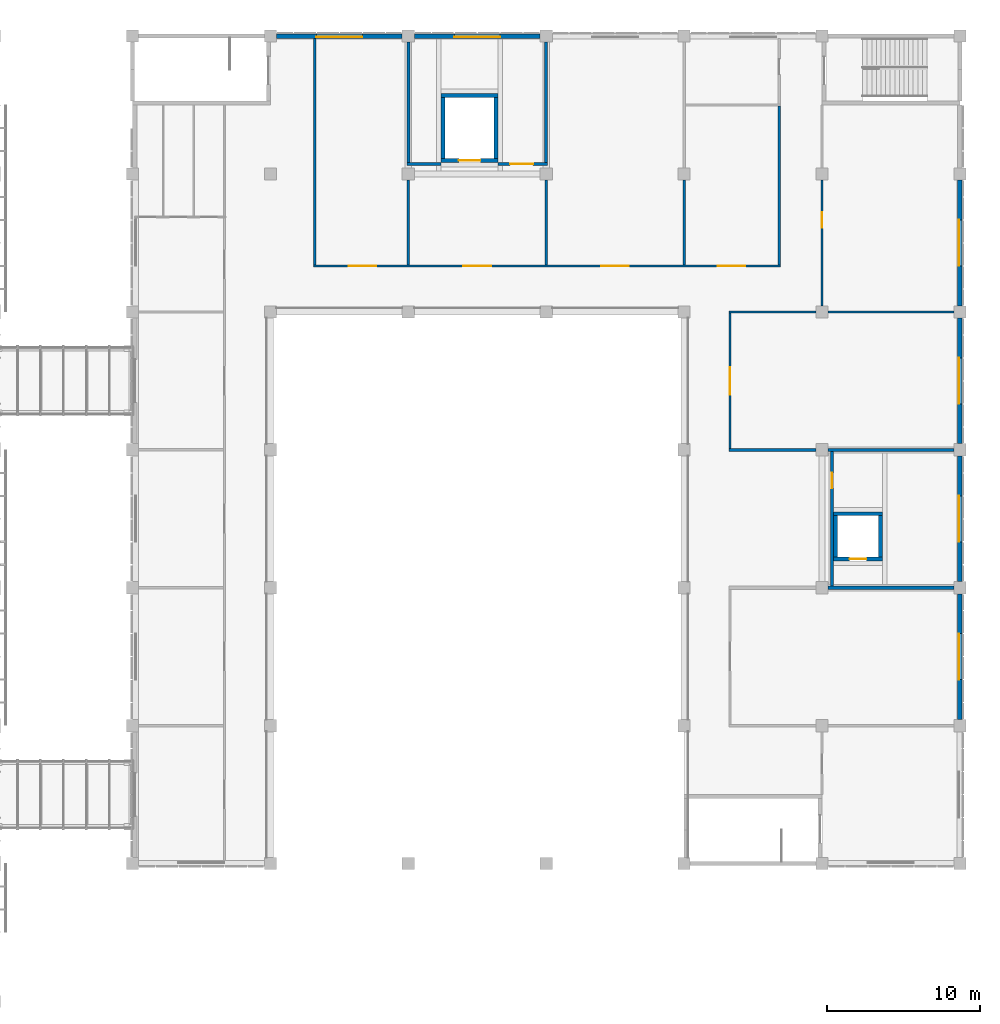
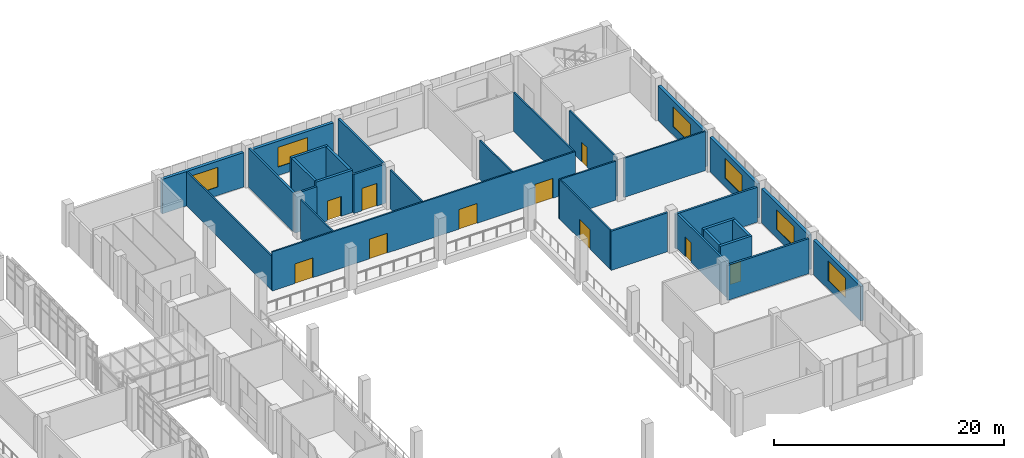
# One storey, part 67 of 88: 32 walls, 10 doors, 6 windows, 16 openings.
"""IFC4 building model written with IfcOpenShell, lengths in metres."""

from ifc_helpers import new_model, si_unit, direction, frame, frame_2d, origin, place, context, subcontext, project, spatial, rectangle, extrude, material, layer, layer_set, type_object, element, fill, save


model = new_model("IFC4")

# Units and contexts
model_context = context("Model", 3, precision=1e-05, world=origin(), true_north=direction((0.0, 1.0)))
body_context = subcontext(model_context, "Body", "Model", "MODEL_VIEW")
ifc_project = project(units=[si_unit("LENGTHUNIT", "METRE"), si_unit("AREAUNIT", "SQUARE_METRE"), si_unit("VOLUMEUNIT", "CUBIC_METRE"), si_unit("PLANEANGLEUNIT", "RADIAN"), si_unit("MASSUNIT", "GRAM", prefix="KILO")], contexts=[model_context])

# Site, building, storey
site_placement = place(None, origin())
site = spatial("IfcSite", under=ifc_project, at=site_placement, CompositionType="ELEMENT")
building_placement = place(site_placement, origin())
building = spatial("IfcBuilding", under=site, at=building_placement, Name="Guidao Yard Department Store", CompositionType="ELEMENT")
storey_placement = place(building_placement, frame((0.0, 0.0, 6.0)))
storey = spatial("IfcBuildingStorey", under=building, at=storey_placement, Name="L01", CompositionType="ELEMENT", Elevation=6.0)

# Wall
ifc_material_1 = material(Name="Concrete block MU10", Category="concrete")
ifc_layer_1 = layer(ifc_material_1, 0.199951171875)
ifc_layer_set_1 = layer_set([ifc_layer_1], Name="Fire Wall F3 200 mm blockwork EI 120")
wall_type_1 = type_object("IfcWallType", Name="Fire Wall F3 200 mm blockwork EI 120", PredefinedType="PARTITIONING", material=ifc_layer_set_1)
wall_1_placement = place(storey_placement, frame((162.39990234375, 72.0, 0.0), z_axis=(0.0, 0.0, 1.0), x_axis=(1.0, 0.0, 0.0)))
element("IfcWall", 1, at=wall_1_placement, inside=storey, type_object=wall_type_1, Name="Wall W-L01-3008", PredefinedType="PARTITIONING", context=body_context, shape_type="SweptSolid", body=[
    extrude(rectangle(XDim=8.2001953125, YDim=0.199951171875, at=frame_2d((4.10009765625, 0.0))), origin(), (0.0, 0.0, 1.0), 3.699951171875),
])

# Wall, opening, door
wall_2_placement = place(storey_placement, frame((162.64990234375, 72.10009765625, 0.0), z_axis=(0.0, 0.0, 1.0), x_axis=(0.0, 1.0, 0.0)))
wall_2 = element("IfcWall", 2, at=wall_2_placement, inside=storey, type_object=wall_type_1, Name="Wall W-L01-3010", PredefinedType="PARTITIONING", context=body_context, shape_type="SweptSolid", body=[
    extrude(rectangle(XDim=8.7998046875, YDim=0.199951171875, at=frame_2d((4.39990234375, 0.0))), origin(), (0.0, 0.0, 1.0), 3.699951171875),
])
opening_1_placement = place(wall_2_placement, frame((7.39990234375, 0.0, 0.0), z_axis=(0.0, 0.0, 1.0), x_axis=(-1.0, 0.0, 0.0)))
opening_1 = element("IfcOpeningElement", 3, at=opening_1_placement, cuts=wall_2, Name="Opening L01-306", PredefinedType="OPENING", context=body_context, shape_type="SweptSolid", body=[
    extrude(rectangle(XDim=1.0, YDim=2.10009765625, at=frame_2d((0.5, 1.050048828125))), frame((0.0, 0.10986328125, 0.0), z_axis=(0.0, -1.0, 0.0), x_axis=(1.0, 0.0, 0.0)), (0.0, 0.0, 1.0), 0.219970703125),
])
ifc_material_2 = material(Name="Steel Q235", Category="steel")
door_type_1 = type_object("IfcDoorType", Name="Door FF1 1000 x 2100 FD60", OperationType="SINGLE_SWING_LEFT", PredefinedType="DOOR", material=ifc_material_2)
door_1_placement = place(opening_1_placement, origin())
door_1 = element("IfcDoor", 4, at=door_1_placement, inside=storey, type_object=door_type_1, Name="Door L01-306", OperationType="SINGLE_SWING_LEFT", OverallHeight=2.10009765625, OverallWidth=1.0, PredefinedType="DOOR", context=body_context, shape_type="SweptSolid", body=[
    extrude(rectangle(XDim=1.0, YDim=2.10009765625, at=frame_2d((0.5, 1.050048828125))), frame((0.0, 0.02490234375, 0.0), z_axis=(0.0, -1.0, 0.0), x_axis=(1.0, 0.0, 0.0)), (0.0, 0.0, 1.0), 0.050048828125),
])
fill(opening_1, door_1)

# Walls
wall_3_placement = place(storey_placement, frame((155.925048828125, 81.0, 0.0), z_axis=(0.0, 0.0, 1.0), x_axis=(1.0, 0.0, 0.0)))
element("IfcWall", 5, at=wall_3_placement, inside=storey, type_object=wall_type_1, Name="Wall W-L01-3011", PredefinedType="PARTITIONING", context=body_context, shape_type="SweptSolid", body=[
    extrude(rectangle(XDim=5.675048828125, YDim=0.199951171875, at=frame_2d((2.83740234375, 0.0))), origin(), (0.0, 0.0, 1.0), 4.14990234375),
])
wall_4_placement = place(storey_placement, frame((162.39990234375, 81.0, 0.0), z_axis=(0.0, 0.0, 1.0), x_axis=(1.0, 0.0, 0.0)))
element("IfcWall", 6, at=wall_4_placement, inside=storey, type_object=wall_type_1, Name="Wall W-L01-3012", PredefinedType="PARTITIONING", context=body_context, shape_type="SweptSolid", body=[
    extrude(rectangle(XDim=8.2001953125, YDim=0.199951171875, at=frame_2d((4.10009765625, 0.0))), origin(), (0.0, 0.0, 1.0), 3.699951171875),
])
wall_5_placement = place(storey_placement, frame((134.925048828125, 99.64990234375, 0.0), z_axis=(0.0, 0.0, 1.0), x_axis=(1.0, 0.0, 0.0)))
element("IfcWall", 7, at=wall_5_placement, inside=storey, type_object=wall_type_1, Name="Wall W-L01-3031", PredefinedType="PARTITIONING", context=body_context, shape_type="SweptSolid", body=[
    extrude(rectangle(XDim=2.224853515625, YDim=0.199951171875, at=frame_2d((1.1123046875, 0.0))), origin(), (0.0, 0.0, 1.0), 4.14990234375),
])

# Wall, opening, door
wall_6_placement = place(storey_placement, frame((140.85009765625, 99.64990234375, 0.0), z_axis=(0.0, 0.0, 1.0), x_axis=(1.0, 0.0, 0.0)))
wall_6 = element("IfcWall", 8, at=wall_6_placement, inside=storey, type_object=wall_type_1, Name="Wall W-L01-3032", PredefinedType="PARTITIONING", context=body_context, shape_type="SweptSolid", body=[
    extrude(rectangle(XDim=3.224853515625, YDim=0.199951171875, at=frame_2d((1.6123046875, 0.0))), origin(), (0.0, 0.0, 1.0), 4.14990234375),
])
opening_2_placement = place(wall_6_placement, frame((0.800048828125, 0.0, 0.0)))
opening_2 = element("IfcOpeningElement", 9, at=opening_2_placement, cuts=wall_6, Name="Opening L01-318", PredefinedType="OPENING", context=body_context, shape_type="SweptSolid", body=[
    extrude(rectangle(XDim=1.5, YDim=2.39990234375, at=frame_2d((0.75, 1.199951171875))), frame((0.0, 0.10986328125, 0.0), z_axis=(0.0, -1.0, 0.0), x_axis=(1.0, 0.0, 0.0)), (0.0, 0.0, 1.0), 0.219970703125),
])
ifc_material_3 = material(Name="Stainless steel 06Cr19Ni10", Category="steel")
door_type_2 = type_object("IfcDoorType", Name="Door FF4 kitchen double 1500 x 2400 FD60", OperationType="DOUBLE_DOOR_SINGLE_SWING", PredefinedType="DOOR", material=ifc_material_3)
door_2_placement = place(opening_2_placement, origin())
door_2 = element("IfcDoor", 10, at=door_2_placement, inside=storey, type_object=door_type_2, Name="Door L01-318", OperationType="DOUBLE_DOOR_SINGLE_SWING", OverallHeight=2.39990234375, OverallWidth=1.5, PredefinedType="DOOR", context=body_context, shape_type="SweptSolid", body=[
    extrude(rectangle(XDim=1.5, YDim=2.39990234375, at=frame_2d((0.75, 1.199951171875))), frame((0.0, 0.02490234375, 0.0), z_axis=(0.0, -1.0, 0.0), x_axis=(1.0, 0.0, 0.0)), (0.0, 0.0, 1.0), 0.050048828125),
])
fill(opening_2, door_2)

# Walls
for number, where, z_axis, x_axis, name in (
    (11, (135.0, 99.75, 0.0), (0.0, 0.0, 1.0), (0.0, 1.0, 0.0), "Wall W-L01-3033"),
    (12, (144.0, 99.75, 0.0), (0.0, 0.0, 1.0), (0.0, 1.0, 0.0), "Wall W-L01-3034"),
):
    element("IfcWall", number, at=place(storey_placement, frame(where, z_axis=z_axis, x_axis=x_axis)), inside=storey, type_object=wall_type_1, Name=name, PredefinedType="PARTITIONING", context=body_context, shape_type="SweptSolid", body=[
        extrude(rectangle(XDim=7.85009765625, YDim=0.199951171875, at=frame_2d((3.925048828125, 0.0))), origin(), (0.0, 0.0, 1.0), 4.14990234375),
    ])

# Wall, opening, window
ifc_material_4 = material(Name="Concrete C30", Category="concrete")
ifc_layer_2 = layer(ifc_material_4, 0.300048828125)
ifc_layer_set_2 = layer_set([ifc_layer_2], Name="Food hall wall 300 C30")
wall_type_2 = type_object("IfcWallType", Name="Food hall wall 300 C30", PredefinedType="SOLIDWALL", material=ifc_layer_set_2)
wall_7_placement = place(storey_placement, frame((126.39990234375, 108.0, 0.0), z_axis=(0.0, 0.0, 1.0), x_axis=(1.0, 0.0, 0.0)))
wall_7 = element("IfcWall", 13, at=wall_7_placement, inside=storey, type_object=wall_type_2, Name="Food hall wall", PredefinedType="SOLIDWALL", context=body_context, shape_type="SweptSolid", body=[
    extrude(rectangle(XDim=8.2001953125, YDim=0.300048828125, at=frame_2d((4.10009765625, 0.0))), origin(), (0.0, 0.0, 1.0), 3.64990234375),
])
opening_3_placement = place(wall_7_placement, frame((2.60009765625, 0.0, 0.89990234375)))
opening_3 = element("IfcOpeningElement", 14, at=opening_3_placement, cuts=wall_7, Name="Opening WN-L01-E28", PredefinedType="OPENING", context=body_context, shape_type="SweptSolid", body=[
    extrude(rectangle(XDim=3.0, YDim=2.10009765625, at=frame_2d((1.5, 1.050048828125))), frame((0.0, 0.159912109375, 0.0), z_axis=(0.0, -1.0, 0.0), x_axis=(1.0, 0.0, 0.0)), (0.0, 0.0, 1.0), 0.320068359375),
])
ifc_material_5 = material(Name="Laminated glass in aluminium frame", Category="aluminium")
window_type = type_object("IfcWindowType", Name="Punched window PW2 3000 x 2100 fixed", PartitioningType="SINGLE_PANEL", PredefinedType="WINDOW", material=ifc_material_5)
window_1_placement = place(opening_3_placement, origin())
window_1 = element("IfcWindow", 15, at=window_1_placement, inside=storey, type_object=window_type, Name="Punched window", OverallHeight=2.10009765625, OverallWidth=3.0, PartitioningType="SINGLE_PANEL", PredefinedType="WINDOW", context=body_context, shape_type="SweptSolid", body=[
    extrude(rectangle(XDim=3.0, YDim=2.10009765625, at=frame_2d((1.5, 1.050048828125))), frame((0.0, -0.030029296875, 0.0), z_axis=(0.0, -1.0, 0.0), x_axis=(1.0, 0.0, 0.0)), (0.0, 0.0, 1.0), 0.06005859375),
])
fill(opening_3, window_1)

wall_8_placement = place(storey_placement, frame((135.39990234375, 108.0, 0.0), z_axis=(0.0, 0.0, 1.0), x_axis=(1.0, 0.0, 0.0)))
wall_8 = element("IfcWall", 16, at=wall_8_placement, inside=storey, type_object=wall_type_2, Name="Food hall wall", PredefinedType="SOLIDWALL", context=body_context, shape_type="SweptSolid", body=[
    extrude(rectangle(XDim=8.2001953125, YDim=0.300048828125, at=frame_2d((4.10009765625, 0.0))), origin(), (0.0, 0.0, 1.0), 3.64990234375),
])
opening_4_placement = place(wall_8_placement, frame((2.60009765625, 0.0, 0.89990234375)))
opening_4 = element("IfcOpeningElement", 17, at=opening_4_placement, cuts=wall_8, Name="Opening WN-L01-E29", PredefinedType="OPENING", context=body_context, shape_type="SweptSolid", body=[
    extrude(rectangle(XDim=3.0, YDim=2.10009765625, at=frame_2d((1.5, 1.050048828125))), frame((0.0, 0.159912109375, 0.0), z_axis=(0.0, -1.0, 0.0), x_axis=(1.0, 0.0, 0.0)), (0.0, 0.0, 1.0), 0.320068359375),
])
window_2_placement = place(opening_4_placement, origin())
window_2 = element("IfcWindow", 18, at=window_2_placement, inside=storey, type_object=window_type, Name="Punched window", OverallHeight=2.10009765625, OverallWidth=3.0, PartitioningType="SINGLE_PANEL", PredefinedType="WINDOW", context=body_context, shape_type="SweptSolid", body=[
    extrude(rectangle(XDim=3.0, YDim=2.10009765625, at=frame_2d((1.5, 1.050048828125))), frame((0.0, -0.030029296875, 0.0), z_axis=(0.0, -1.0, 0.0), x_axis=(1.0, 0.0, 0.0)), (0.0, 0.0, 1.0), 0.06005859375),
])
fill(opening_4, window_2)

wall_9_placement = place(storey_placement, frame((171.0, 71.60009765625, 0.0), z_axis=(0.0, 0.0, 1.0), x_axis=(0.0, -1.0, 0.0)))
wall_9 = element("IfcWall", 19, at=wall_9_placement, inside=storey, type_object=wall_type_2, Name="Food hall wall", PredefinedType="SOLIDWALL", context=body_context, shape_type="SweptSolid", body=[
    extrude(rectangle(XDim=8.2001953125, YDim=0.300048828125, at=frame_2d((4.10009765625, 0.0))), origin(), (0.0, 0.0, 1.0), 3.64990234375),
])
opening_5_placement = place(wall_9_placement, frame((2.60009765625, 0.0, 0.89990234375)))
opening_5 = element("IfcOpeningElement", 20, at=opening_5_placement, cuts=wall_9, Name="Opening WN-L01-E33", PredefinedType="OPENING", context=body_context, shape_type="SweptSolid", body=[
    extrude(rectangle(XDim=3.0, YDim=2.10009765625, at=frame_2d((1.5, 1.050048828125))), frame((0.0, 0.159912109375, 0.0), z_axis=(0.0, -1.0, 0.0), x_axis=(1.0, 0.0, 0.0)), (0.0, 0.0, 1.0), 0.320068359375),
])
window_3_placement = place(opening_5_placement, origin())
window_3 = element("IfcWindow", 21, at=window_3_placement, inside=storey, type_object=window_type, Name="Punched window", OverallHeight=2.10009765625, OverallWidth=3.0, PartitioningType="SINGLE_PANEL", PredefinedType="WINDOW", context=body_context, shape_type="SweptSolid", body=[
    extrude(rectangle(XDim=3.0, YDim=2.10009765625, at=frame_2d((1.5, 1.050048828125))), frame((0.0, -0.030029296875, 0.0), z_axis=(0.0, -1.0, 0.0), x_axis=(1.0, 0.0, 0.0)), (0.0, 0.0, 1.0), 0.06005859375),
])
fill(opening_5, window_3)

wall_10_placement = place(storey_placement, frame((171.0, 80.60009765625, 0.0), z_axis=(0.0, 0.0, 1.0), x_axis=(0.0, -1.0, 0.0)))
wall_10 = element("IfcWall", 22, at=wall_10_placement, inside=storey, type_object=wall_type_2, Name="Food hall wall", PredefinedType="SOLIDWALL", context=body_context, shape_type="SweptSolid", body=[
    extrude(rectangle(XDim=8.2001953125, YDim=0.300048828125, at=frame_2d((4.10009765625, 0.0))), origin(), (0.0, 0.0, 1.0), 3.64990234375),
])
opening_6_placement = place(wall_10_placement, frame((2.60009765625, 0.0, 0.89990234375)))
opening_6 = element("IfcOpeningElement", 23, at=opening_6_placement, cuts=wall_10, Name="Opening WN-L01-E34", PredefinedType="OPENING", context=body_context, shape_type="SweptSolid", body=[
    extrude(rectangle(XDim=3.0, YDim=2.10009765625, at=frame_2d((1.5, 1.050048828125))), frame((0.0, 0.159912109375, 0.0), z_axis=(0.0, -1.0, 0.0), x_axis=(1.0, 0.0, 0.0)), (0.0, 0.0, 1.0), 0.320068359375),
])
window_4_placement = place(opening_6_placement, origin())
window_4 = element("IfcWindow", 24, at=window_4_placement, inside=storey, type_object=window_type, Name="Punched window", OverallHeight=2.10009765625, OverallWidth=3.0, PartitioningType="SINGLE_PANEL", PredefinedType="WINDOW", context=body_context, shape_type="SweptSolid", body=[
    extrude(rectangle(XDim=3.0, YDim=2.10009765625, at=frame_2d((1.5, 1.050048828125))), frame((0.0, -0.030029296875, 0.0), z_axis=(0.0, -1.0, 0.0), x_axis=(1.0, 0.0, 0.0)), (0.0, 0.0, 1.0), 0.06005859375),
])
fill(opening_6, window_4)

wall_11_placement = place(storey_placement, frame((171.0, 89.60009765625, 0.0), z_axis=(0.0, 0.0, 1.0), x_axis=(0.0, -1.0, 0.0)))
wall_11 = element("IfcWall", 25, at=wall_11_placement, inside=storey, type_object=wall_type_2, Name="Food hall wall", PredefinedType="SOLIDWALL", context=body_context, shape_type="SweptSolid", body=[
    extrude(rectangle(XDim=8.2001953125, YDim=0.300048828125, at=frame_2d((4.10009765625, 0.0))), origin(), (0.0, 0.0, 1.0), 3.64990234375),
])
opening_7_placement = place(wall_11_placement, frame((2.60009765625, 0.0, 0.89990234375)))
opening_7 = element("IfcOpeningElement", 26, at=opening_7_placement, cuts=wall_11, Name="Opening WN-L01-E35", PredefinedType="OPENING", context=body_context, shape_type="SweptSolid", body=[
    extrude(rectangle(XDim=3.0, YDim=2.10009765625, at=frame_2d((1.5, 1.050048828125))), frame((0.0, 0.159912109375, 0.0), z_axis=(0.0, -1.0, 0.0), x_axis=(1.0, 0.0, 0.0)), (0.0, 0.0, 1.0), 0.320068359375),
])
window_5_placement = place(opening_7_placement, origin())
window_5 = element("IfcWindow", 27, at=window_5_placement, inside=storey, type_object=window_type, Name="Punched window", OverallHeight=2.10009765625, OverallWidth=3.0, PartitioningType="SINGLE_PANEL", PredefinedType="WINDOW", context=body_context, shape_type="SweptSolid", body=[
    extrude(rectangle(XDim=3.0, YDim=2.10009765625, at=frame_2d((1.5, 1.050048828125))), frame((0.0, -0.030029296875, 0.0), z_axis=(0.0, -1.0, 0.0), x_axis=(1.0, 0.0, 0.0)), (0.0, 0.0, 1.0), 0.06005859375),
])
fill(opening_7, window_5)

wall_12_placement = place(storey_placement, frame((171.0, 98.60009765625, 0.0), z_axis=(0.0, 0.0, 1.0), x_axis=(0.0, -1.0, 0.0)))
wall_12 = element("IfcWall", 28, at=wall_12_placement, inside=storey, type_object=wall_type_2, Name="Food hall wall", PredefinedType="SOLIDWALL", context=body_context, shape_type="SweptSolid", body=[
    extrude(rectangle(XDim=8.2001953125, YDim=0.300048828125, at=frame_2d((4.10009765625, 0.0))), origin(), (0.0, 0.0, 1.0), 3.64990234375),
])
opening_8_placement = place(wall_12_placement, frame((2.60009765625, 0.0, 0.89990234375)))
opening_8 = element("IfcOpeningElement", 29, at=opening_8_placement, cuts=wall_12, Name="Opening WN-L01-E36", PredefinedType="OPENING", context=body_context, shape_type="SweptSolid", body=[
    extrude(rectangle(XDim=3.0, YDim=2.10009765625, at=frame_2d((1.5, 1.050048828125))), frame((0.0, 0.159912109375, 0.0), z_axis=(0.0, -1.0, 0.0), x_axis=(1.0, 0.0, 0.0)), (0.0, 0.0, 1.0), 0.320068359375),
])
window_6_placement = place(opening_8_placement, origin())
window_6 = element("IfcWindow", 30, at=window_6_placement, inside=storey, type_object=window_type, Name="Punched window", OverallHeight=2.10009765625, OverallWidth=3.0, PartitioningType="SINGLE_PANEL", PredefinedType="WINDOW", context=body_context, shape_type="SweptSolid", body=[
    extrude(rectangle(XDim=3.0, YDim=2.10009765625, at=frame_2d((1.5, 1.050048828125))), frame((0.0, -0.030029296875, 0.0), z_axis=(0.0, -1.0, 0.0), x_axis=(1.0, 0.0, 0.0)), (0.0, 0.0, 1.0), 0.06005859375),
])
fill(opening_8, window_6)

# Wall, opening, door
ifc_material_6 = material(Name="Concrete block MU10", Category="concrete")
ifc_layer_3 = layer(ifc_material_6, 0.14990234375)
ifc_layer_set_3 = layer_set([ifc_layer_3], Name="Stall Front Wall F4 150 mm blockwork EI 60")
wall_type_3 = type_object("IfcWallType", Name="Stall Front Wall F4 150 mm blockwork EI 60", PredefinedType="PARTITIONING", material=ifc_layer_set_3)
wall_13_placement = place(storey_placement, frame((156.0, 81.10009765625, 0.0), z_axis=(0.0, 0.0, 1.0), x_axis=(0.0, 1.0, 0.0)))
wall_13 = element("IfcWall", 31, at=wall_13_placement, inside=storey, type_object=wall_type_3, Name="Wall W-L01-3014", PredefinedType="PARTITIONING", context=body_context, shape_type="SweptSolid", body=[
    extrude(rectangle(XDim=8.824951171875, YDim=0.14990234375, at=frame_2d((4.41259765625, 0.0))), origin(), (0.0, 0.0, 1.0), 4.14990234375),
])
opening_9_placement = place(wall_13_placement, frame((5.300048828125, 0.0, 0.0), z_axis=(0.0, 0.0, 1.0), x_axis=(-1.0, 0.0, 0.0)))
opening_9 = element("IfcOpeningElement", 32, at=opening_9_placement, cuts=wall_13, Name="Opening L01-308", PredefinedType="OPENING", context=body_context, shape_type="SweptSolid", body=[
    extrude(rectangle(XDim=1.800048828125, YDim=2.10009765625, at=frame_2d((0.89990234375, 1.050048828125))), frame((0.0, 0.0849609375, 0.0), z_axis=(0.0, -1.0, 0.0), x_axis=(1.0, 0.0, 0.0)), (0.0, 0.0, 1.0), 0.169921875),
])
ifc_material_7 = material(Name="Timber door leaf", Category="wood")
door_type_3 = type_object("IfcDoorType", Name="Door FN2 double 1800 x 2100", OperationType="DOUBLE_DOOR_SINGLE_SWING", PredefinedType="DOOR", material=ifc_material_7)
door_3_placement = place(opening_9_placement, origin())
door_3 = element("IfcDoor", 33, at=door_3_placement, inside=storey, type_object=door_type_3, Name="Door L01-308", OperationType="DOUBLE_DOOR_SINGLE_SWING", OverallHeight=2.10009765625, OverallWidth=1.800048828125, PredefinedType="DOOR", context=body_context, shape_type="SweptSolid", body=[
    extrude(rectangle(XDim=1.800048828125, YDim=2.10009765625, at=frame_2d((0.89990234375, 1.050048828125))), frame((0.0, 0.02490234375, 0.0), z_axis=(0.0, -1.0, 0.0), x_axis=(1.0, 0.0, 0.0)), (0.0, 0.0, 1.0), 0.050048828125),
])
fill(opening_9, door_3)

# Wall
wall_14_placement = place(storey_placement, frame((155.925048828125, 90.0, 0.0), z_axis=(0.0, 0.0, 1.0), x_axis=(1.0, 0.0, 0.0)))
element("IfcWall", 34, at=wall_14_placement, inside=storey, type_object=wall_type_3, Name="Wall W-L01-3016", PredefinedType="PARTITIONING", context=body_context, shape_type="SweptSolid", body=[
    extrude(rectangle(XDim=5.675048828125, YDim=0.14990234375, at=frame_2d((2.83740234375, 0.0))), origin(), (0.0, 0.0, 1.0), 4.14990234375),
])

# Wall, openings, doors
wall_15_placement = place(storey_placement, frame((128.824951171875, 93.0, 0.0), z_axis=(0.0, 0.0, 1.0), x_axis=(1.0, 0.0, 0.0)))
wall_15 = element("IfcWall", 35, at=wall_15_placement, inside=storey, type_object=wall_type_3, Name="Wall W-L01-3019", PredefinedType="PARTITIONING", context=body_context, shape_type="SweptSolid", body=[
    extrude(rectangle(XDim=30.449951171875, YDim=0.14990234375, at=frame_2d((15.22509765625, 0.0))), origin(), (0.0, 0.0, 1.0), 4.14990234375),
])
opening_10_placement = place(wall_15_placement, frame((2.27490234375, 0.0, 0.0)))
opening_10 = element("IfcOpeningElement", 36, at=opening_10_placement, cuts=wall_15, Name="Opening L01-309", PredefinedType="OPENING", context=body_context, shape_type="SweptSolid", body=[
    extrude(rectangle(XDim=1.800048828125, YDim=2.10009765625, at=frame_2d((0.89990234375, 1.050048828125))), frame((0.0, 0.0849609375, 0.0), z_axis=(0.0, -1.0, 0.0), x_axis=(1.0, 0.0, 0.0)), (0.0, 0.0, 1.0), 0.169921875),
])
opening_11_placement = place(wall_15_placement, frame((9.77490234375, 0.0, 0.0)))
opening_11 = element("IfcOpeningElement", 37, at=opening_11_placement, cuts=wall_15, Name="Opening L01-310", PredefinedType="OPENING", context=body_context, shape_type="SweptSolid", body=[
    extrude(rectangle(XDim=1.800048828125, YDim=2.10009765625, at=frame_2d((0.89990234375, 1.050048828125))), frame((0.0, 0.0849609375, 0.0), z_axis=(0.0, -1.0, 0.0), x_axis=(1.0, 0.0, 0.0)), (0.0, 0.0, 1.0), 0.169921875),
])
opening_12_placement = place(wall_15_placement, frame((18.77490234375, 0.0, 0.0)))
opening_12 = element("IfcOpeningElement", 38, at=opening_12_placement, cuts=wall_15, Name="Opening L01-311", PredefinedType="OPENING", context=body_context, shape_type="SweptSolid", body=[
    extrude(rectangle(XDim=1.800048828125, YDim=2.10009765625, at=frame_2d((0.89990234375, 1.050048828125))), frame((0.0, 0.0849609375, 0.0), z_axis=(0.0, -1.0, 0.0), x_axis=(1.0, 0.0, 0.0)), (0.0, 0.0, 1.0), 0.169921875),
])
opening_13_placement = place(wall_15_placement, frame((26.375, 0.0, 0.0)))
opening_13 = element("IfcOpeningElement", 39, at=opening_13_placement, cuts=wall_15, Name="Opening L01-312", PredefinedType="OPENING", context=body_context, shape_type="SweptSolid", body=[
    extrude(rectangle(XDim=1.800048828125, YDim=2.10009765625, at=frame_2d((0.89990234375, 1.050048828125))), frame((0.0, 0.0849609375, 0.0), z_axis=(0.0, -1.0, 0.0), x_axis=(1.0, 0.0, 0.0)), (0.0, 0.0, 1.0), 0.169921875),
])
door_4_placement = place(opening_10_placement, origin())
door_4 = element("IfcDoor", 40, at=door_4_placement, inside=storey, type_object=door_type_3, Name="Door L01-309", OperationType="DOUBLE_DOOR_SINGLE_SWING", OverallHeight=2.10009765625, OverallWidth=1.800048828125, PredefinedType="DOOR", context=body_context, shape_type="SweptSolid", body=[
    extrude(rectangle(XDim=1.800048828125, YDim=2.10009765625, at=frame_2d((0.89990234375, 1.050048828125))), frame((0.0, 0.02490234375, 0.0), z_axis=(0.0, -1.0, 0.0), x_axis=(1.0, 0.0, 0.0)), (0.0, 0.0, 1.0), 0.050048828125),
])
fill(opening_10, door_4)
door_5_placement = place(opening_11_placement, origin())
door_5 = element("IfcDoor", 41, at=door_5_placement, inside=storey, type_object=door_type_3, Name="Door L01-310", OperationType="DOUBLE_DOOR_SINGLE_SWING", OverallHeight=2.10009765625, OverallWidth=1.800048828125, PredefinedType="DOOR", context=body_context, shape_type="SweptSolid", body=[
    extrude(rectangle(XDim=1.800048828125, YDim=2.10009765625, at=frame_2d((0.89990234375, 1.050048828125))), frame((0.0, 0.02490234375, 0.0), z_axis=(0.0, -1.0, 0.0), x_axis=(1.0, 0.0, 0.0)), (0.0, 0.0, 1.0), 0.050048828125),
])
fill(opening_11, door_5)
door_6_placement = place(opening_12_placement, origin())
door_6 = element("IfcDoor", 42, at=door_6_placement, inside=storey, type_object=door_type_3, Name="Door L01-311", OperationType="DOUBLE_DOOR_SINGLE_SWING", OverallHeight=2.10009765625, OverallWidth=1.800048828125, PredefinedType="DOOR", context=body_context, shape_type="SweptSolid", body=[
    extrude(rectangle(XDim=1.800048828125, YDim=2.10009765625, at=frame_2d((0.89990234375, 1.050048828125))), frame((0.0, 0.02490234375, 0.0), z_axis=(0.0, -1.0, 0.0), x_axis=(1.0, 0.0, 0.0)), (0.0, 0.0, 1.0), 0.050048828125),
])
fill(opening_12, door_6)
door_7_placement = place(opening_13_placement, origin())
door_7 = element("IfcDoor", 43, at=door_7_placement, inside=storey, type_object=door_type_3, Name="Door L01-312", OperationType="DOUBLE_DOOR_SINGLE_SWING", OverallHeight=2.10009765625, OverallWidth=1.800048828125, PredefinedType="DOOR", context=body_context, shape_type="SweptSolid", body=[
    extrude(rectangle(XDim=1.800048828125, YDim=2.10009765625, at=frame_2d((0.89990234375, 1.050048828125))), frame((0.0, 0.02490234375, 0.0), z_axis=(0.0, -1.0, 0.0), x_axis=(1.0, 0.0, 0.0)), (0.0, 0.0, 1.0), 0.050048828125),
])
fill(opening_13, door_7)

# Walls
wall_16_placement = place(storey_placement, frame((128.89990234375, 93.074951171875, 0.0), z_axis=(0.0, 0.0, 1.0), x_axis=(0.0, 1.0, 0.0)))
element("IfcWall", 44, at=wall_16_placement, inside=storey, type_object=wall_type_3, Name="Wall W-L01-3020", PredefinedType="PARTITIONING", context=body_context, shape_type="SweptSolid", body=[
    extrude(rectangle(XDim=14.775146484375, YDim=0.14990234375, at=frame_2d((7.3876953125, 0.0))), origin(), (0.0, 0.0, 1.0), 3.64990234375),
])
wall_17_placement = place(storey_placement, frame((159.199951171875, 93.074951171875, 0.0), z_axis=(0.0, 0.0, 1.0), x_axis=(0.0, 1.0, 0.0)))
element("IfcWall", 45, at=wall_17_placement, inside=storey, type_object=wall_type_3, Name="Wall W-L01-3024", PredefinedType="PARTITIONING", context=body_context, shape_type="SweptSolid", body=[
    extrude(rectangle(XDim=10.35009765625, YDim=0.14990234375, at=frame_2d((5.175048828125, 0.0))), origin(), (0.0, 0.0, 1.0), 4.14990234375),
])
ifc_material_8 = material(Name="Concrete block MU10", Category="concrete")
ifc_layer_4 = layer(ifc_material_8, 0.14990234375)
ifc_layer_set_4 = layer_set([ifc_layer_4], Name="Wall F2 150 mm blockwork EI 60")
wall_type_4 = type_object("IfcWallType", Name="Wall F2 150 mm blockwork EI 60", PredefinedType="PARTITIONING", material=ifc_layer_set_4)
wall_18_placement = place(storey_placement, frame((162.39990234375, 90.0, 0.0), z_axis=(0.0, 0.0, 1.0), x_axis=(1.0, 0.0, 0.0)))
element("IfcWall", 46, at=wall_18_placement, inside=storey, type_object=wall_type_4, Name="Wall W-L01-3017", PredefinedType="PARTITIONING", context=body_context, shape_type="SweptSolid", body=[
    extrude(rectangle(XDim=8.2001953125, YDim=0.14990234375, at=frame_2d((4.10009765625, 0.0))), origin(), (0.0, 0.0, 1.0), 4.14990234375),
])

# Wall, opening, door
wall_19_placement = place(storey_placement, frame((162.0, 90.39990234375, 0.0), z_axis=(0.0, 0.0, 1.0), x_axis=(0.0, 1.0, 0.0)))
wall_19 = element("IfcWall", 47, at=wall_19_placement, inside=storey, type_object=wall_type_4, Name="Wall W-L01-3018", PredefinedType="PARTITIONING", context=body_context, shape_type="SweptSolid", body=[
    extrude(rectangle(XDim=8.2001953125, YDim=0.14990234375, at=frame_2d((4.10009765625, 0.0))), origin(), (0.0, 0.0, 1.0), 4.14990234375),
])
opening_14_placement = place(wall_19_placement, frame((6.10009765625, 0.0, 0.0), z_axis=(0.0, 0.0, 1.0), x_axis=(-1.0, 0.0, 0.0)))
opening_14 = element("IfcOpeningElement", 48, at=opening_14_placement, cuts=wall_19, Name="Opening L01-314", PredefinedType="OPENING", context=body_context, shape_type="SweptSolid", body=[
    extrude(rectangle(XDim=1.0, YDim=2.10009765625, at=frame_2d((0.5, 1.050048828125))), frame((0.0, 0.0849609375, 0.0), z_axis=(0.0, -1.0, 0.0), x_axis=(1.0, 0.0, 0.0)), (0.0, 0.0, 1.0), 0.169921875),
])
ifc_material_9 = material(Name="Timber door leaf", Category="wood")
door_type_4 = type_object("IfcDoorType", Name="Door FN1 1000 x 2100", OperationType="SINGLE_SWING_LEFT", PredefinedType="DOOR", material=ifc_material_9)
door_8_placement = place(opening_14_placement, origin())
door_8 = element("IfcDoor", 49, at=door_8_placement, inside=storey, type_object=door_type_4, Name="Door L01-314", OperationType="SINGLE_SWING_LEFT", OverallHeight=2.10009765625, OverallWidth=1.0, PredefinedType="DOOR", context=body_context, shape_type="SweptSolid", body=[
    extrude(rectangle(XDim=1.0, YDim=2.10009765625, at=frame_2d((0.5, 1.050048828125))), frame((0.0, 0.02490234375, 0.0), z_axis=(0.0, -1.0, 0.0), x_axis=(1.0, 0.0, 0.0)), (0.0, 0.0, 1.0), 0.050048828125),
])
fill(opening_14, door_8)

# Walls
for number, where, z_axis, x_axis, name in (
    (50, (135.0, 93.074951171875, 0.0), (0.0, 0.0, 1.0), (0.0, 1.0, 0.0), "Wall W-L01-3021"),
    (51, (144.0, 93.074951171875, 0.0), (0.0, 0.0, 1.0), (0.0, 1.0, 0.0), "Wall W-L01-3022"),
    (52, (153.0, 93.074951171875, 0.0), (0.0, 0.0, 1.0), (0.0, 1.0, 0.0), "Wall W-L01-3023"),
):
    element("IfcWall", number, at=place(storey_placement, frame(where, z_axis=z_axis, x_axis=x_axis)), inside=storey, type_object=wall_type_4, Name=name, PredefinedType="PARTITIONING", context=body_context, shape_type="SweptSolid", body=[
        extrude(rectangle(XDim=5.525146484375, YDim=0.14990234375, at=frame_2d((2.7626953125, 0.0))), origin(), (0.0, 0.0, 1.0), 4.14990234375),
    ])

# Wall, opening, door
ifc_material_10 = material(Name="Concrete C40", Category="concrete")
ifc_layer_5 = layer(ifc_material_10, 0.25)
ifc_layer_set_5 = layer_set([ifc_layer_5], Name="Wall RC 250 C40 stair and shaft")
wall_type_5 = type_object("IfcWallType", Name="Wall RC 250 C40 stair and shaft", PredefinedType="SHEAR", material=ifc_layer_set_5)
wall_20_placement = place(storey_placement, frame((162.75, 73.875, 0.0), z_axis=(0.0, 0.0, 1.0), x_axis=(1.0, 0.0, 0.0)))
wall_20 = element("IfcWall", 53, at=wall_20_placement, inside=storey, type_object=wall_type_5, Name="Lift shaft wall FL1", PredefinedType="SHEAR", context=body_context, shape_type="SweptSolid", body=[
    extrude(rectangle(XDim=3.199951171875, YDim=0.25, at=frame_2d((1.60009765625, 0.0))), origin(), (0.0, 0.0, 1.0), 4.5),
])
opening_15_placement = place(wall_20_placement, frame((1.050048828125, 0.0, 0.0)))
opening_15 = element("IfcOpeningElement", 54, at=opening_15_placement, cuts=wall_20, Name="Opening LD-FL1-L01", PredefinedType="OPENING", context=body_context, shape_type="SweptSolid", body=[
    extrude(rectangle(XDim=1.10009765625, YDim=2.10009765625, at=frame_2d((0.550048828125, 1.050048828125))), frame((0.0, 0.135009765625, 0.0), z_axis=(0.0, -1.0, 0.0), x_axis=(1.0, 0.0, 0.0)), (0.0, 0.0, 1.0), 0.27001953125),
])
ifc_material_11 = material(Name="Stainless steel 06Cr19Ni10", Category="steel")
door_type_5 = type_object("IfcDoorType", Name="Lift landing door fire-resisting sliding 1100 x 2100", OperationType="DOUBLE_DOOR_SLIDING", PredefinedType="DOOR", material=ifc_material_11)
door_9_placement = place(opening_15_placement, origin())
door_9 = element("IfcDoor", 55, at=door_9_placement, inside=storey, type_object=door_type_5, Name="Lift landing door FL1 L01", OperationType="DOUBLE_DOOR_SLIDING", OverallHeight=2.10009765625, OverallWidth=1.10009765625, PredefinedType="DOOR", context=body_context, shape_type="SweptSolid", body=[
    extrude(rectangle(XDim=1.10009765625, YDim=2.10009765625, at=frame_2d((0.550048828125, 1.050048828125))), frame((0.0, 0.02490234375, 0.0), z_axis=(0.0, -1.0, 0.0), x_axis=(1.0, 0.0, 0.0)), (0.0, 0.0, 1.0), 0.050048828125),
])
fill(opening_15, door_9)

# Walls
wall_21_placement = place(storey_placement, frame((162.75, 76.824951171875, 0.0), z_axis=(0.0, 0.0, 1.0), x_axis=(1.0, 0.0, 0.0)))
element("IfcWall", 56, at=wall_21_placement, inside=storey, type_object=wall_type_5, Name="Lift shaft wall FL1", PredefinedType="SHEAR", context=body_context, shape_type="SweptSolid", body=[
    extrude(rectangle(XDim=3.199951171875, YDim=0.25, at=frame_2d((1.60009765625, 0.0))), origin(), (0.0, 0.0, 1.0), 4.5),
])
for number, where, z_axis, x_axis, name in (
    (57, (162.875, 74.0, 0.0), (0.0, 0.0, 1.0), (0.0, 1.0, 0.0), "Lift shaft wall FL1"),
    (58, (165.824951171875, 74.0, 0.0), (0.0, 0.0, 1.0), (0.0, 1.0, 0.0), "Lift shaft wall FL1"),
):
    element("IfcWall", number, at=place(storey_placement, frame(where, z_axis=z_axis, x_axis=x_axis)), inside=storey, type_object=wall_type_5, Name=name, PredefinedType="SHEAR", context=body_context, shape_type="SweptSolid", body=[
        extrude(rectangle(XDim=2.699951171875, YDim=0.25, at=frame_2d((1.35009765625, 0.0))), origin(), (0.0, 0.0, 1.0), 4.5),
    ])

# Wall, opening, door
wall_22_placement = place(storey_placement, frame((137.14990234375, 99.875, 0.0), z_axis=(0.0, 0.0, 1.0), x_axis=(1.0, 0.0, 0.0)))
wall_22 = element("IfcWall", 59, at=wall_22_placement, inside=storey, type_object=wall_type_5, Name="Lift shaft wall FG1", PredefinedType="SHEAR", context=body_context, shape_type="SweptSolid", body=[
    extrude(rectangle(XDim=3.7001953125, YDim=0.25, at=frame_2d((1.85009765625, 0.0))), origin(), (0.0, 0.0, 1.0), 4.5),
])
opening_16_placement = place(wall_22_placement, frame((1.14990234375, 0.0, 0.0)))
opening_16 = element("IfcOpeningElement", 60, at=opening_16_placement, cuts=wall_22, Name="Opening LD-FG1-L01", PredefinedType="OPENING", context=body_context, shape_type="SweptSolid", body=[
    extrude(rectangle(XDim=1.39990234375, YDim=2.10009765625, at=frame_2d((0.699951171875, 1.050048828125))), frame((0.0, 0.135009765625, 0.0), z_axis=(0.0, -1.0, 0.0), x_axis=(1.0, 0.0, 0.0)), (0.0, 0.0, 1.0), 0.27001953125),
])
ifc_material_12 = material(Name="Stainless steel 06Cr19Ni10", Category="steel")
door_type_6 = type_object("IfcDoorType", Name="Lift landing door fire-resisting sliding 1400 x 2100", OperationType="DOUBLE_DOOR_SLIDING", PredefinedType="DOOR", material=ifc_material_12)
door_10_placement = place(opening_16_placement, origin())
door_10 = element("IfcDoor", 61, at=door_10_placement, inside=storey, type_object=door_type_6, Name="Lift landing door FG1 L01", OperationType="DOUBLE_DOOR_SLIDING", OverallHeight=2.10009765625, OverallWidth=1.39990234375, PredefinedType="DOOR", context=body_context, shape_type="SweptSolid", body=[
    extrude(rectangle(XDim=1.39990234375, YDim=2.10009765625, at=frame_2d((0.699951171875, 1.050048828125))), frame((0.0, 0.02490234375, 0.0), z_axis=(0.0, -1.0, 0.0), x_axis=(1.0, 0.0, 0.0)), (0.0, 0.0, 1.0), 0.050048828125),
])
fill(opening_16, door_10)

# Walls
wall_23_placement = place(storey_placement, frame((137.14990234375, 104.125, 0.0), z_axis=(0.0, 0.0, 1.0), x_axis=(1.0, 0.0, 0.0)))
element("IfcWall", 62, at=wall_23_placement, inside=storey, type_object=wall_type_5, Name="Lift shaft wall FG1", PredefinedType="SHEAR", context=body_context, shape_type="SweptSolid", body=[
    extrude(rectangle(XDim=3.7001953125, YDim=0.25, at=frame_2d((1.85009765625, 0.0))), origin(), (0.0, 0.0, 1.0), 4.5),
])
for number, where, z_axis, x_axis, name in (
    (63, (137.27490234375, 100.0, 0.0), (0.0, 0.0, 1.0), (0.0, 1.0, 0.0), "Lift shaft wall FG1"),
    (64, (140.72509765625, 100.0, 0.0), (0.0, 0.0, 1.0), (0.0, 1.0, 0.0), "Lift shaft wall FG1"),
):
    element("IfcWall", number, at=place(storey_placement, frame(where, z_axis=z_axis, x_axis=x_axis)), inside=storey, type_object=wall_type_5, Name=name, PredefinedType="SHEAR", context=body_context, shape_type="SweptSolid", body=[
        extrude(rectangle(XDim=4.0, YDim=0.25, at=frame_2d((2.0, 0.0))), origin(), (0.0, 0.0, 1.0), 4.5),
    ])

save(model, "model.ifc")
